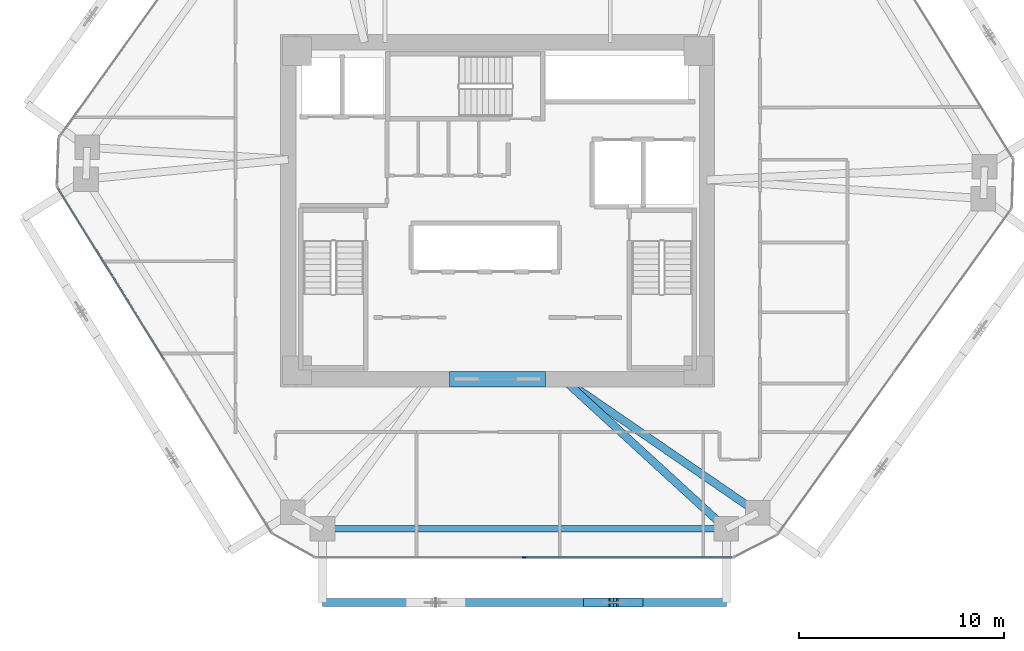
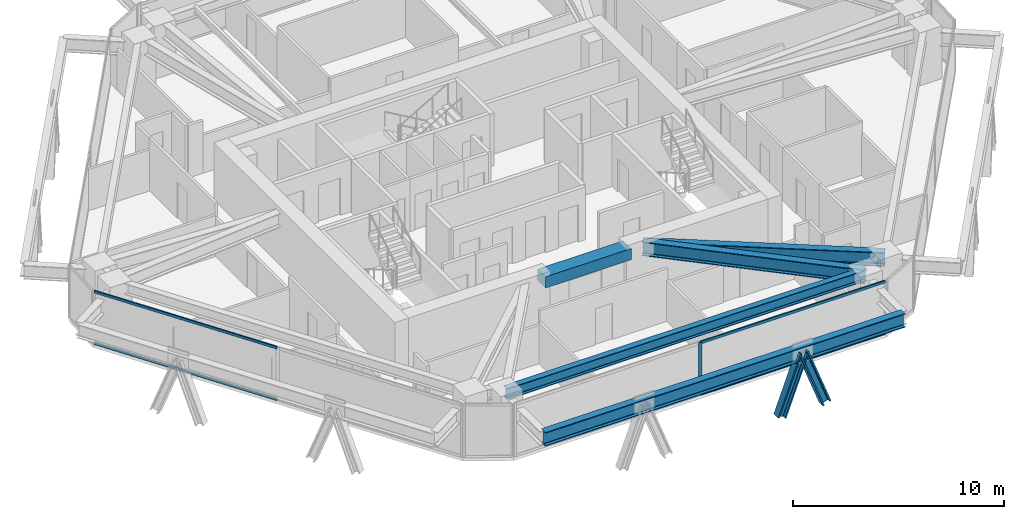
# One storey, part 3 of 16: 7 members, 5 beams, 2 elements without a shape of their own.
"""IFC4 building model written with IfcOpenShell, lengths in metres."""

from ifc_helpers import new_model, si_unit, direction, frame, origin, origin_2d, place, context, subcontext, project, spatial, rectangle, i_section, extrude, source, transform, mapped, material, layer, layer_set, material_profile, profile_set, type_object, type_shapes, element, aggregate, save


model = new_model("IFC4")

# Units and contexts
model_context = context("Model", 3, precision=1e-05, world=origin(), true_north=direction((0.0, 1.0)))
body_context = subcontext(model_context, "Body", "Model", "MODEL_VIEW")
ifc_project = project(units=[si_unit("LENGTHUNIT", "METRE"), si_unit("AREAUNIT", "SQUARE_METRE"), si_unit("VOLUMEUNIT", "CUBIC_METRE"), si_unit("PLANEANGLEUNIT", "RADIAN"), si_unit("MASSUNIT", "GRAM", prefix="KILO")], contexts=[model_context])

# Site, building, storey
site_placement = place(None, origin())
site = spatial("IfcSite", under=ifc_project, at=site_placement, CompositionType="ELEMENT")
building_placement = place(site_placement, origin())
building = spatial("IfcBuilding", under=site, at=building_placement, Name="Durnholm Broadcast Tower", CompositionType="ELEMENT")
storey_placement = place(building_placement, frame((0.0, 0.0, 110.699951171875)))
storey = spatial("IfcBuildingStorey", under=building, at=storey_placement, Name="L29", CompositionType="ELEMENT", Elevation=110.699951171875)

# Beams
ifc_material_1 = material(Name="Concrete C70/85", Category="concrete")
ifc_material_profile_1 = material_profile(ifc_material_1, rectangle(XDim=0.75, YDim=0.64990234375, at=origin_2d()), Name="RC750X650")
ifc_profile_set_1 = profile_set([ifc_material_profile_1], Name="Concrete C70/85")
beam_type_1 = type_object("IfcBeamType", Name="BM-CB-RC650", PredefinedType="LINTEL", material=ifc_profile_set_1)
shared_shape_1 = source(origin(), body_context, "Body", "SweptSolid", [
    extrude(rectangle(XDim=0.75, YDim=0.64990234375, at=origin_2d()), origin(), (0.0, 0.0, 1.0), 4.7001953125),
])
type_shapes(beam_type_1, [shared_shape_1])
beam_1_placement = place(storey_placement, frame((-2.35009765625, -8.22509765625, 2.72998046875), z_axis=(1.0, 0.0, 0.0), x_axis=(0.0, 1.0, 0.0)))
element("IfcBeam", 1, at=beam_1_placement, inside=storey, type_object=beam_type_1, Name="L29 south core coupling lintel beam CB-S", PredefinedType="LINTEL", context=body_context, shape_type="MappedRepresentation", body=[
    mapped(shared_shape_1, transform((0.0, 0.0, 0.0), x_axis=(1.0, 0.0, 0.0), y_axis=(0.0, 1.0, 0.0), z_axis=(0.0, 0.0, 1.0), scale=1.0)),
])
ifc_material_2 = material(Name="Steel ASTM A992 Grade 50", Category="steel")
ifc_material_profile_2 = material_profile(ifc_material_2, i_section(OverallWidth=0.3291015625, OverallDepth=0.635009765625, WebThickness=0.017822265625, FlangeThickness=0.031005859375, FilletRadius=0.02783203125, at=origin_2d()), Name="W24X162")
ifc_profile_set_2 = profile_set([ifc_material_profile_2], Name="Steel ASTM A992 Grade 50")
beam_type_2 = type_object("IfcBeamType", Name="STL-SP-W24X162", PredefinedType="SPANDREL", material=ifc_profile_set_2)
shared_shape_2 = source(origin(), body_context, "Body", "SweptSolid", [
    extrude(i_section(OverallWidth=0.3291015625, OverallDepth=0.635009765625, WebThickness=0.017822265625, FlangeThickness=0.031005859375, FilletRadius=0.02783203125, at=origin_2d()), origin(), (0.0, 0.0, 1.0), 19.72802734375),
])
type_shapes(beam_type_2, [shared_shape_2])
beam_2_placement = place(storey_placement, frame((11.176025390625, -15.537109375, 2.7275390625), z_axis=(-1.0, 0.0, 0.0), x_axis=(0.0, -1.0, 0.0)))
element("IfcBeam", 2, at=beam_2_placement, inside=storey, type_object=beam_type_2, Name="L29 perimeter spandrel girder 11", PredefinedType="SPANDREL", context=body_context, shape_type="MappedRepresentation", body=[
    mapped(shared_shape_2, transform((0.0, 0.0, 0.0), x_axis=(1.0, 0.0, 0.0), y_axis=(0.0, 1.0, 0.0), z_axis=(0.0, 0.0, 1.0), scale=1.0)),
])
ifc_material_profile_3 = material_profile(ifc_material_2, i_section(OverallWidth=0.385009765625, OverallDepth=0.802978515625, WebThickness=0.023681640625, FlangeThickness=0.0419921875, FilletRadius=0.032958984375, at=origin_2d()), Name="W30X261")
ifc_profile_set_3 = profile_set([ifc_material_profile_3], Name="Steel ASTM A992 Grade 50")
beam_type_3 = type_object("IfcBeamType", Name="STL-GR-W30X261", PredefinedType="USERDEFINED", material=ifc_profile_set_3)
shared_shape_3 = source(origin(), body_context, "Body", "SweptSolid", [
    extrude(i_section(OverallWidth=0.385009765625, OverallDepth=0.802978515625, WebThickness=0.023681640625, FlangeThickness=0.0419921875, FilletRadius=0.032958984375, at=origin_2d()), origin(), (0.0, 0.0, 1.0), 11.533447265625),
])
beam_3_placement = place(storey_placement, frame((3.199951171875, -8.22509765625, 2.6435546875), z_axis=(0.824567182461, -0.565764051181, 0.0), x_axis=(0.565764051181, 0.824567182461, 0.0)))
element("IfcBeam", 3, at=beam_3_placement, inside=storey, type_object=beam_type_3, Name="L29 radial primary floor girder 10", ObjectType="GIRDER", PredefinedType="USERDEFINED", context=body_context, shape_type="MappedRepresentation", body=[
    mapped(shared_shape_3, transform((0.0, 0.0, 0.0), x_axis=(1.0, 0.0, 0.0), y_axis=(0.0, 1.0, 0.0), z_axis=(0.0, 0.0, 1.0), scale=1.0)),
])
shared_shape_4 = source(origin(), body_context, "Body", "SweptSolid", [
    extrude(i_section(OverallWidth=0.385009765625, OverallDepth=0.802978515625, WebThickness=0.023681640625, FlangeThickness=0.0419921875, FilletRadius=0.032958984375, at=origin_2d()), origin(), (0.0, 0.0, 1.0), 10.820556640625),
])
type_shapes(beam_type_3, [shared_shape_3, shared_shape_4])
beam_4_placement = place(storey_placement, frame((3.199951171875, -8.22509765625, 2.6435546875), z_axis=(0.737126042516, -0.675755279258, 0.0), x_axis=(0.675755279258, 0.737126042516, 0.0)))
element("IfcBeam", 4, at=beam_4_placement, inside=storey, type_object=beam_type_3, Name="L29 radial primary floor girder 11", ObjectType="GIRDER", PredefinedType="USERDEFINED", context=body_context, shape_type="MappedRepresentation", body=[
    mapped(shared_shape_4, transform((0.0, 0.0, 0.0), x_axis=(1.0, 0.0, 0.0), y_axis=(0.0, 1.0, 0.0), z_axis=(0.0, 0.0, 1.0), scale=1.0)),
])
ifc_material_profile_4 = material_profile(ifc_material_2, i_section(OverallWidth=0.385009765625, OverallDepth=0.802978515625, WebThickness=0.023681640625, FlangeThickness=0.0419921875, FilletRadius=0.032958984375, at=origin_2d()), Name="W30X261")
ifc_profile_set_4 = profile_set([ifc_material_profile_4], Name="Steel ASTM A992 Grade 50")
beam_type_4 = type_object("IfcBeamType", Name="BM-EXO-TIE", PredefinedType="USERDEFINED", material=ifc_profile_set_4)
shared_shape_5 = source(origin(), body_context, "Body", "SweptSolid", [
    extrude(i_section(OverallWidth=0.385009765625, OverallDepth=0.802978515625, WebThickness=0.023681640625, FlangeThickness=0.0419921875, FilletRadius=0.032958984375, at=origin_2d()), origin(), (0.0, 0.0, 1.0), 19.72802734375),
])
type_shapes(beam_type_4, [shared_shape_5])
beam_5_placement = place(storey_placement, frame((-8.552001953125, -19.136962890625, 2.30859375), z_axis=(1.0, 0.0, 0.0), x_axis=(0.0, 1.0, 0.0)))
element("IfcBeam", 5, at=beam_5_placement, inside=storey, type_object=beam_type_4, Name="L29 exoskeleton collector spandrel F1", PredefinedType="SPANDREL", context=body_context, shape_type="MappedRepresentation", body=[
    mapped(shared_shape_5, transform((0.0, 0.0, 0.0), x_axis=(1.0, 0.0, 0.0), y_axis=(0.0, 1.0, 0.0), z_axis=(0.0, 0.0, 1.0), scale=1.0)),
])

# Members
ifc_material_3 = material(Name="Steel ASTM A913 Grade 65", Category="steel")
ifc_material_profile_5 = material_profile(ifc_material_3, i_section(OverallWidth=0.424072265625, OverallDepth=0.47412109375, WebThickness=0.047607421875, FlangeThickness=0.0771484375, FilletRadius=0.030517578125, at=origin_2d()), Name="W14X426")
ifc_profile_set_5 = profile_set([ifc_material_profile_5], Name="Steel ASTM A913 Grade 65")
member_type_1 = type_object("IfcMemberType", Name="STL-DG-W14X426", PredefinedType="BRACE", material=ifc_profile_set_5)
shared_shape_6 = source(origin(), body_context, "Body", "SweptSolid", [
    extrude(i_section(OverallWidth=0.424072265625, OverallDepth=0.47412109375, WebThickness=0.047607421875, FlangeThickness=0.0771484375, FilletRadius=0.030517578125, at=origin_2d()), origin(), (0.0, 0.0, 1.0), 3.523193359375),
])
type_shapes(member_type_1, [shared_shape_6])
for number, where, z_axis, x_axis, name in (
    (6, (4.41845703125, -19.136962890625, -0.991455078125), (0.350219588454, 0.0, 0.936667625075), (0.0, 1.0, 0.0), "L29 stand-off diagrid brace F1.D2.1"),
    (7, (6.885986328125, -19.136962890625, -0.991455078125), (-0.350158790071, 0.0, 0.936690355313), (0.0, -1.0, 0.0), "L29 stand-off diagrid brace F1.D2.2"),
):
    element("IfcMember", number, at=place(storey_placement, frame(where, z_axis=z_axis, x_axis=x_axis)), inside=storey, type_object=member_type_1, Name=name, PredefinedType="BRACE", context=body_context, shape_type="MappedRepresentation", body=[
        mapped(shared_shape_6, transform((0.0, 0.0, 0.0), x_axis=(1.0, 0.0, 0.0), y_axis=(0.0, 1.0, 0.0), z_axis=(0.0, 0.0, 1.0), scale=1.0)),
    ])

# Curtain wall, members
ifc_material_4 = material(Name="Aluminium and Solar Control IGU", Category="aluminium")
ifc_layer = layer(ifc_material_4, 0.18994140625)
ifc_layer_set = layer_set([ifc_layer], Name="Aluminium and Solar Control IGU")
curtain_wall_type = type_object("IfcCurtainWallType", Name="CW-SYS-3", PredefinedType="NOTDEFINED", material=ifc_layer_set)
curtain_wall_1_placement = place(storey_placement, origin())
curtain_wall_1 = element("IfcCurtainWall", 8, at=curtain_wall_1_placement, inside=storey, type_object=curtain_wall_type, Name="L29 curtain wall CW-Z12-VIS CW-L29-F10", PredefinedType="NOTDEFINED")
ifc_material_5 = material(Name="Aluminium 6063-T6", Category="aluminium")
ifc_material_profile_6 = material_profile(ifc_material_5, rectangle(XDim=0.070068359375, YDim=0.18994140625, at=origin_2d()), Name="CWM70X190")
ifc_profile_set_6 = profile_set([ifc_material_profile_6], Name="Aluminium 6063-T6")
member_type_2 = type_object("IfcMemberType", Name="CW-SYS-3-MUL", PredefinedType="MULLION", material=ifc_profile_set_6)
shared_shape_7 = source(origin(), body_context, "Body", "SweptSolid", [
    extrude(rectangle(XDim=0.070068359375, YDim=0.18994140625, at=origin_2d()), origin(), (0.0, 0.0, 1.0), 3.06005859375),
])
type_shapes(member_type_2, [shared_shape_7])
member_1_placement = place(storey_placement, frame((1.299560546875, -16.93701171875, 0.0), z_axis=(0.0, 0.0, 1.0), x_axis=(0.0, -1.0, 0.0)))
member_1 = element("IfcMember", 9, at=member_1_placement, type_object=member_type_2, Name="CW-Z12-VIS mullion 2", PredefinedType="MULLION", context=body_context, shape_type="MappedRepresentation", body=[
    mapped(shared_shape_7, transform((0.0, 0.0, 0.0), x_axis=(1.0, 0.0, 0.0), y_axis=(0.0, 1.0, 0.0), z_axis=(0.0, 0.0, 1.0), scale=1.0)),
])
ifc_material_profile_7 = material_profile(ifc_material_5, rectangle(XDim=0.070068359375, YDim=0.14990234375, at=origin_2d()), Name="CWT70X150")
ifc_profile_set_7 = profile_set([ifc_material_profile_7], Name="Aluminium 6063-T6")
member_type_3 = type_object("IfcMemberType", Name="CW-SYS-3-TRN", PredefinedType="USERDEFINED", material=ifc_profile_set_7)
shared_shape_8 = source(origin(), body_context, "Body", "SweptSolid", [
    extrude(rectangle(XDim=0.070068359375, YDim=0.14990234375, at=origin_2d()), origin(), (0.0, 0.0, 1.0), 10.109619140625),
])
member_2_placement = place(storey_placement, frame((11.444091796875, -16.93701171875, 0.03515625), z_axis=(-1.0, 0.0, 0.0), x_axis=(0.0, -1.0, 0.0)))
member_2 = element("IfcMember", 10, at=member_2_placement, type_object=member_type_3, Name="CW-Z12-VIS transom 1.1", ObjectType="TRANSOM", PredefinedType="USERDEFINED", context=body_context, shape_type="MappedRepresentation", body=[
    mapped(shared_shape_8, transform((0.0, 0.0, 0.0), x_axis=(1.0, 0.0, 0.0), y_axis=(0.0, 1.0, 0.0), z_axis=(0.0, 0.0, 1.0), scale=1.0)),
])
member_3_placement = place(storey_placement, frame((11.444091796875, -16.93701171875, 3.025146484375), z_axis=(-1.0, 0.0, 0.0), x_axis=(0.0, -1.0, 0.0)))
member_3 = element("IfcMember", 11, at=member_3_placement, type_object=member_type_3, Name="CW-Z12-VIS transom 1.2", ObjectType="TRANSOM", PredefinedType="USERDEFINED", context=body_context, shape_type="MappedRepresentation", body=[
    mapped(shared_shape_8, transform((0.0, 0.0, 0.0), x_axis=(1.0, 0.0, 0.0), y_axis=(0.0, 1.0, 0.0), z_axis=(0.0, 0.0, 1.0), scale=1.0)),
])
aggregate(curtain_wall_1, [member_1, member_2, member_3])

curtain_wall_2_placement = place(storey_placement, origin())
curtain_wall_2 = element("IfcCurtainWall", 12, at=curtain_wall_2_placement, inside=storey, type_object=curtain_wall_type, Name="L29 curtain wall CW-Z12-VIS CW-L29-F12", PredefinedType="NOTDEFINED")
shared_shape_9 = source(origin(), body_context, "Body", "SweptSolid", [
    extrude(rectangle(XDim=0.070068359375, YDim=0.14990234375, at=origin_2d()), origin(), (0.0, 0.0, 1.0), 9.85888671875),
])
type_shapes(member_type_3, [shared_shape_8, shared_shape_9])
member_4_placement = place(storey_placement, frame((-16.28271484375, -7.27294921875, 0.03515625), z_axis=(-0.527119964735, 0.849790881793, 0.0), x_axis=(-0.849790881793, -0.527119964735, 0.0)))
member_4 = element("IfcMember", 13, at=member_4_placement, type_object=member_type_3, Name="CW-Z12-VIS transom 2.1", ObjectType="TRANSOM", PredefinedType="USERDEFINED", context=body_context, shape_type="MappedRepresentation", body=[
    mapped(shared_shape_9, transform((0.0, 0.0, 0.0), x_axis=(1.0, 0.0, 0.0), y_axis=(0.0, 1.0, 0.0), z_axis=(0.0, 0.0, 1.0), scale=1.0)),
])
member_5_placement = place(storey_placement, frame((-16.28271484375, -7.27294921875, 3.025146484375), z_axis=(-0.527119964735, 0.849790881793, 0.0), x_axis=(-0.849790881793, -0.527119964735, 0.0)))
member_5 = element("IfcMember", 14, at=member_5_placement, type_object=member_type_3, Name="CW-Z12-VIS transom 2.2", ObjectType="TRANSOM", PredefinedType="USERDEFINED", context=body_context, shape_type="MappedRepresentation", body=[
    mapped(shared_shape_9, transform((0.0, 0.0, 0.0), x_axis=(1.0, 0.0, 0.0), y_axis=(0.0, 1.0, 0.0), z_axis=(0.0, 0.0, 1.0), scale=1.0)),
])
aggregate(curtain_wall_2, [member_4, member_5])

save(model, "model.ifc")
